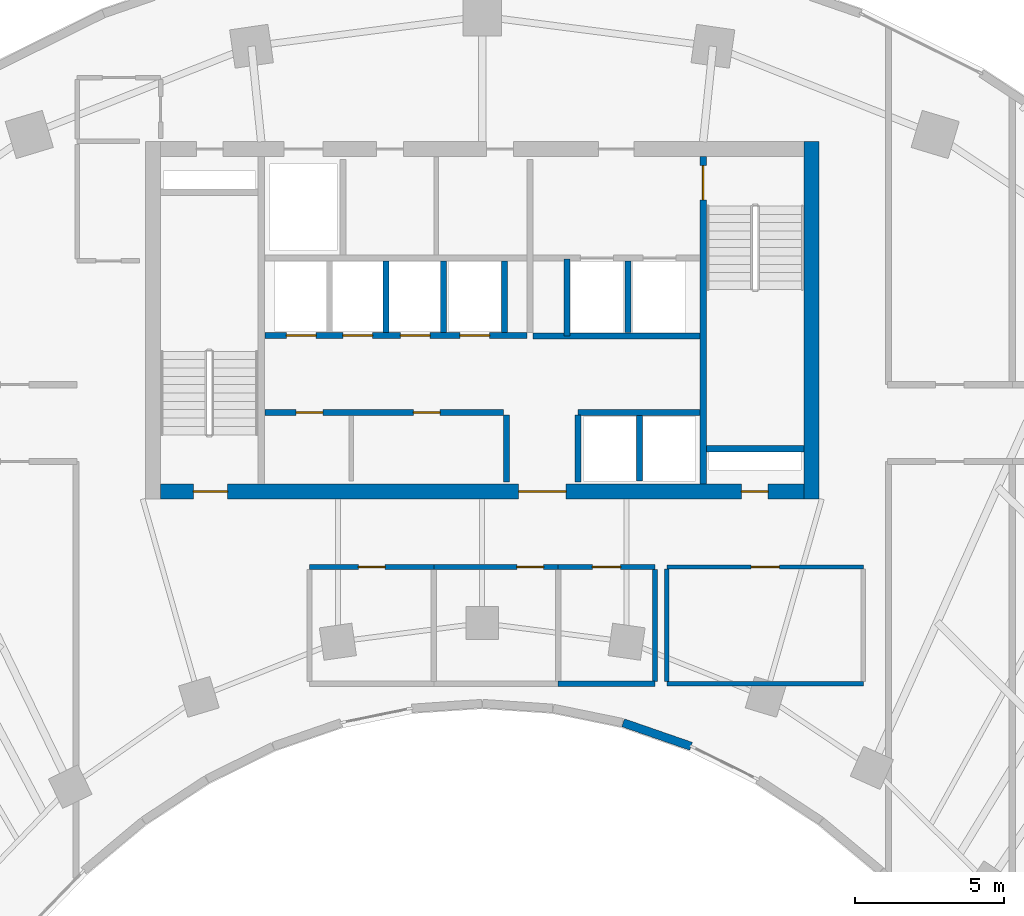
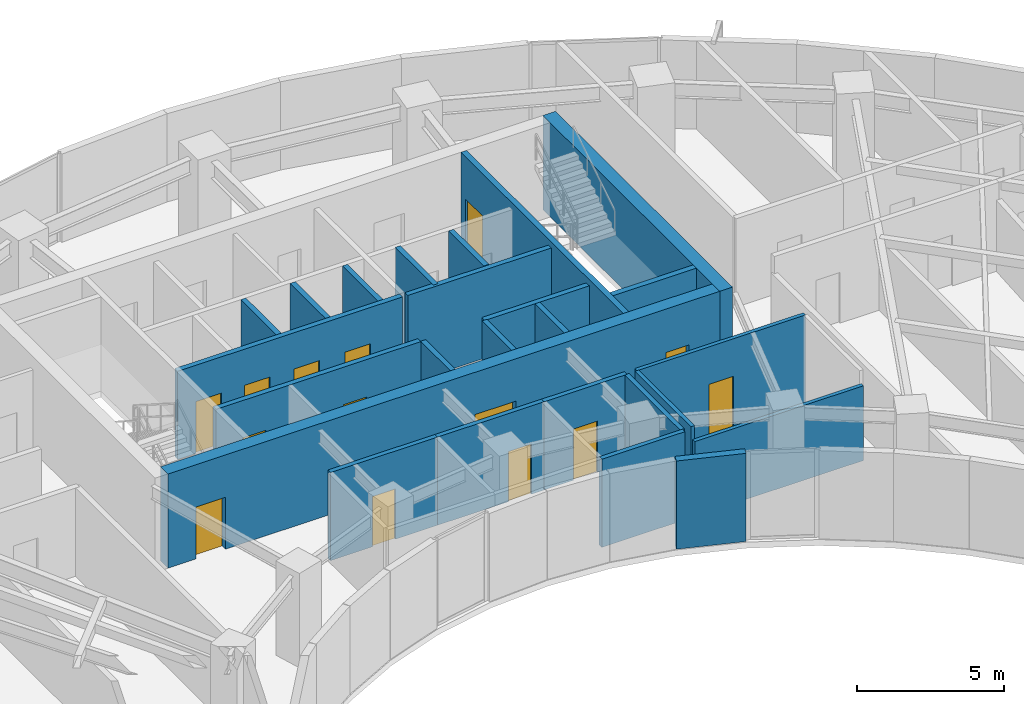
# One storey, part 9 of 14: 25 walls, 14 doors, 14 openings.
"""IFC4 building model written with IfcOpenShell, lengths in metres."""

from ifc_helpers import new_model, si_unit, direction, frame, frame_2d, origin, place, context, subcontext, project, spatial, rectangle, extrude, source, transform, mapped, material, layer, layer_set, type_object, type_shapes, element, fill, save


model = new_model("IFC4")

# Units and contexts
model_context = context("Model", 3, precision=1e-05, world=origin(), true_north=direction((0.0, 1.0)))
body_context = subcontext(model_context, "Body", "Model", "MODEL_VIEW")
ifc_project = project(units=[si_unit("LENGTHUNIT", "METRE"), si_unit("AREAUNIT", "SQUARE_METRE"), si_unit("VOLUMEUNIT", "CUBIC_METRE"), si_unit("PLANEANGLEUNIT", "RADIAN"), si_unit("MASSUNIT", "GRAM", prefix="KILO")], contexts=[model_context])

# Site, building, storey
site_placement = place(None, origin())
site = spatial("IfcSite", under=ifc_project, at=site_placement, CompositionType="ELEMENT")
building_placement = place(site_placement, origin())
building = spatial("IfcBuilding", under=site, at=building_placement, Name="Breltana Convention Tower", CompositionType="ELEMENT")
storey_placement = place(building_placement, frame((0.0, 0.0, 138.89990234375)))
storey = spatial("IfcBuildingStorey", under=building, at=storey_placement, Name="L33", CompositionType="ELEMENT", Elevation=138.89990234375)

# Wall
ifc_material_1 = material(Name="Concrete C60/75", Category="concrete")
ifc_layer_1 = layer(ifc_material_1, 0.5, Name="Concrete C60/75")
ifc_layer_set_1 = layer_set([ifc_layer_1], Name="Concrete C60/75")
wall_type_1 = type_object("IfcWallType", Name="SW-CORE-500", PredefinedType="SHEAR", material=ifc_layer_set_1)
shared_shape_1 = source(origin(), body_context, "Body", "SweptSolid", [
    extrude(rectangle(XDim=12.0, YDim=0.5, at=frame_2d((6.0, 0.0))), origin(), (0.0, 0.0, 1.0), 3.900146484375),
])
wall_1_placement = place(storey_placement, frame((59.050048828125, 60.199951171875, 0.0), z_axis=(0.0, 0.0, 1.0), x_axis=(0.0, 1.0, 0.0)))
element("IfcWall", 1, at=wall_1_placement, inside=storey, type_object=wall_type_1, Name="L33 East Core Shear Wall", PredefinedType="SHEAR", context=body_context, shape_type="MappedRepresentation", body=[
    mapped(shared_shape_1, transform((0.0, 0.0, 0.0), scale=1.0)),
])

# Wall, openings, doors
shared_shape_2 = source(origin(), body_context, "Body", "SweptSolid", [
    extrude(rectangle(XDim=21.60009765625, YDim=0.5, at=frame_2d((10.800048828125, 0.0))), origin(), (0.0, 0.0, 1.0), 3.900146484375),
])
wall_2_placement = place(storey_placement, frame((37.199951171875, 60.449951171875, 0.0), z_axis=(0.0, 0.0, 1.0), x_axis=(1.0, 0.0, 0.0)))
wall_2 = element("IfcWall", 2, at=wall_2_placement, inside=storey, type_object=wall_type_1, Name="L33 South Core Shear Wall", PredefinedType="SHEAR", context=body_context, shape_type="MappedRepresentation", body=[
    mapped(shared_shape_2, transform((0.0, 0.0, 0.0), scale=1.0)),
])
opening_1_placement = place(wall_2_placement, frame((1.10009765625, 0.0, 0.0)))
opening_1 = element("IfcOpeningElement", 3, at=opening_1_placement, cuts=wall_2, Name="Opening D-11", PredefinedType="OPENING", context=body_context, shape_type="SweptSolid", body=[
    extrude(rectangle(XDim=1.14990234375, YDim=2.14990234375, at=frame_2d((0.574951171875, 1.074951171875))), frame((0.0, 0.260009765625, 0.0), z_axis=(0.0, -1.0, 0.0), x_axis=(1.0, 0.0, 0.0)), (0.0, 0.0, 1.0), 0.52001953125),
])
opening_2_placement = place(wall_2_placement, frame((19.5, 0.0, 0.0)))
opening_2 = element("IfcOpeningElement", 4, at=opening_2_placement, cuts=wall_2, Name="Opening D-18", PredefinedType="OPENING", context=body_context, shape_type="SweptSolid", body=[
    extrude(rectangle(XDim=0.89990234375, YDim=2.10009765625, at=frame_2d((0.449951171875, 1.050048828125))), frame((0.0, 0.260009765625, 0.0), z_axis=(0.0, -1.0, 0.0), x_axis=(1.0, 0.0, 0.0)), (0.0, 0.0, 1.0), 0.52001953125),
])
opening_3_placement = place(wall_2_placement, frame((12.02001953125, 0.0, 0.0)))
opening_3 = element("IfcOpeningElement", 5, at=opening_3_placement, cuts=wall_2, Name="Opening D-02", PredefinedType="OPENING", context=body_context, shape_type="SweptSolid", body=[
    extrude(rectangle(XDim=1.60009765625, YDim=2.14990234375, at=frame_2d((0.800048828125, 1.074951171875))), frame((0.0, 0.260009765625, 0.0), z_axis=(0.0, -1.0, 0.0), x_axis=(1.0, 0.0, 0.0)), (0.0, 0.0, 1.0), 0.52001953125),
])
ifc_material_2 = material(Name="Steel Stair Exit Door", Category="steel")
door_type_1 = type_object("IfcDoorType", Name="DR-FD120-1150", OperationType="NOTDEFINED", PredefinedType="DOOR", material=ifc_material_2)
shared_shape_3 = source(origin(), body_context, "Body", "SweptSolid", [
    extrude(rectangle(XDim=1.14990234375, YDim=2.14990234375, at=frame_2d((0.574951171875, 1.074951171875))), frame((0.0, 0.02490234375, 0.0), z_axis=(0.0, -1.0, 0.0), x_axis=(1.0, 0.0, 0.0)), (0.0, 0.0, 1.0), 0.050048828125),
])
type_shapes(door_type_1, [shared_shape_3])
door_1_placement = place(opening_1_placement, origin())
door_1 = element("IfcDoor", 6, at=door_1_placement, inside=storey, type_object=door_type_1, Name="L33 interior door D-L33-ST1", OperationType="SINGLE_SWING_LEFT", OverallHeight=2.14990234375, OverallWidth=1.14990234375, PredefinedType="DOOR", context=body_context, shape_type="MappedRepresentation", body=[
    mapped(shared_shape_3, transform((0.0, 0.0, 0.0), scale=1.0)),
])
fill(opening_1, door_1)
ifc_material_3 = material(Name="Steel Riser Fire Door", Category="steel")
door_type_2 = type_object("IfcDoorType", Name="DR-FD60-900", OperationType="NOTDEFINED", PredefinedType="DOOR", material=ifc_material_3)
shared_shape_4 = source(origin(), body_context, "Body", "SweptSolid", [
    extrude(rectangle(XDim=0.89990234375, YDim=2.10009765625, at=frame_2d((0.449951171875, 1.050048828125))), frame((0.0, 0.02490234375, 0.0), z_axis=(0.0, -1.0, 0.0), x_axis=(1.0, 0.0, 0.0)), (0.0, 0.0, 1.0), 0.050048828125),
])
type_shapes(door_type_2, [shared_shape_4])
door_2_placement = place(opening_2_placement, origin())
door_2 = element("IfcDoor", 7, at=door_2_placement, inside=storey, type_object=door_type_2, Name="L33 Core Riser Access Door D-L33-RS2", OperationType="SINGLE_SWING_RIGHT", OverallHeight=2.10009765625, OverallWidth=0.89990234375, PredefinedType="DOOR", context=body_context, shape_type="MappedRepresentation", body=[
    mapped(shared_shape_4, transform((0.0, 0.0, 0.0), scale=1.0)),
])
fill(opening_2, door_2)
ifc_material_4 = material(Name="Steel Glazed Smoke-Control Door", Category="steel")
door_type_3 = type_object("IfcDoorType", Name="DR-DBL-FD90-1600", OperationType="DOUBLE_DOOR_SINGLE_SWING", PredefinedType="DOOR", material=ifc_material_4)
shared_shape_5 = source(origin(), body_context, "Body", "SweptSolid", [
    extrude(rectangle(XDim=1.60009765625, YDim=2.14990234375, at=frame_2d((0.800048828125, 1.074951171875))), frame((0.0, 0.02490234375, 0.0), z_axis=(0.0, -1.0, 0.0), x_axis=(1.0, 0.0, 0.0)), (0.0, 0.0, 1.0), 0.050048828125),
])
type_shapes(door_type_3, [shared_shape_5])
door_3_placement = place(opening_3_placement, origin())
door_3 = element("IfcDoor", 8, at=door_3_placement, inside=storey, type_object=door_type_3, Name="L33 interior door D-L33-LLB-S", OperationType="DOUBLE_DOOR_SINGLE_SWING", OverallHeight=2.14990234375, OverallWidth=1.60009765625, PredefinedType="DOOR", context=body_context, shape_type="MappedRepresentation", body=[
    mapped(shared_shape_5, transform((0.0, 0.0, 0.0), scale=1.0)),
])
fill(opening_3, door_3)

# Wall
ifc_material_5 = material(Name="Concrete C50/60", Category="concrete")
ifc_layer_2 = layer(ifc_material_5, 0.39990234375, Name="Concrete C50/60")
ifc_layer_set_2 = layer_set([ifc_layer_2], Name="Concrete C50/60")
wall_type_2 = type_object("IfcWallType", Name="SW-CORE-400", PredefinedType="SHEAR", material=ifc_layer_set_2)
shared_shape_6 = source(origin(), body_context, "Body", "SweptSolid", [
    extrude(rectangle(XDim=3.27001953125, YDim=0.219970703125, at=frame_2d((1.635009765625, 0.0))), origin(), (0.0, 0.0, 1.0), 3.900146484375),
])
wall_3_placement = place(storey_placement, frame((55.530029296875, 61.889892578125, 0.0), z_axis=(0.0, 0.0, 1.0), x_axis=(1.0, 0.0, 0.0)))
element("IfcWall", 9, at=wall_3_placement, inside=storey, type_object=wall_type_2, Name="L33 ST-2 Stairwell South Bearing Wall", PredefinedType="SHEAR", context=body_context, shape_type="MappedRepresentation", body=[
    mapped(shared_shape_6, transform((0.0, 0.0, 0.0), scale=1.0)),
])

# Wall, opening, door
shared_shape_7 = source(origin(), body_context, "Body", "SweptSolid", [
    extrude(rectangle(XDim=11.0, YDim=0.219970703125, at=frame_2d((5.5, 0.0))), origin(), (0.0, 0.0, 1.0), 3.900146484375),
])
wall_4_placement = place(storey_placement, frame((55.419921875, 60.699951171875, 0.0), z_axis=(0.0, 0.0, 1.0), x_axis=(0.0, 1.0, 0.0)))
wall_4 = element("IfcWall", 10, at=wall_4_placement, inside=storey, type_object=wall_type_2, Name="L33 Core East Stair Spine Wall", PredefinedType="SHEAR", context=body_context, shape_type="MappedRepresentation", body=[
    mapped(shared_shape_7, transform((0.0, 0.0, 0.0), scale=1.0)),
])
opening_4_placement = place(wall_4_placement, frame((9.544921875, 0.0, 0.0)))
opening_4 = element("IfcOpeningElement", 11, at=opening_4_placement, cuts=wall_4, Name="Opening D-11", PredefinedType="OPENING", context=body_context, shape_type="SweptSolid", body=[
    extrude(rectangle(XDim=1.14990234375, YDim=2.14990234375, at=frame_2d((0.574951171875, 1.074951171875))), frame((0.0, 0.1201171875, 0.0), z_axis=(0.0, -1.0, 0.0), x_axis=(1.0, 0.0, 0.0)), (0.0, 0.0, 1.0), 0.239990234375),
])
door_4_placement = place(opening_4_placement, origin())
door_4 = element("IfcDoor", 12, at=door_4_placement, inside=storey, type_object=door_type_1, Name="L33 interior door D-L33-ST2", OperationType="SINGLE_SWING_LEFT", OverallHeight=2.14990234375, OverallWidth=1.14990234375, PredefinedType="DOOR", context=body_context, shape_type="MappedRepresentation", body=[
    mapped(shared_shape_3, transform((0.0, 0.0, 0.0), scale=1.0)),
])
fill(opening_4, door_4)

# Walls
ifc_material_6 = material(Name="Limestone Buff Insulated Wall", Category="masonry")
ifc_layer_3 = layer(ifc_material_6, 0.280029296875, Name="Limestone Buff Insulated Wall")
ifc_layer_set_3 = layer_set([ifc_layer_3], Name="Limestone Buff Insulated Wall")
wall_type_3 = type_object("IfcWallType", Name="WL-EXT-NOSE-280", PredefinedType="SOLIDWALL", material=ifc_layer_set_3)
shared_shape_8 = source(origin(), body_context, "Body", "SweptSolid", [
    extrude(rectangle(XDim=2.41064453125, YDim=0.280029296875, at=frame_2d((1.205322265625, 0.0))), origin(), (0.0, 0.0, 1.0), 3.650146484375),
])
wall_5_placement = place(storey_placement, frame((55.01171875, 51.8994140625, 0.0), z_axis=(0.0, 0.0, 1.0), x_axis=(-0.944880068161, 0.327416640982, 0.0)))
element("IfcWall", 13, at=wall_5_placement, inside=storey, type_object=wall_type_3, Name="L33 curved limestone nose wall E10", PredefinedType="SOLIDWALL", context=body_context, shape_type="MappedRepresentation", body=[
    mapped(shared_shape_8, transform((0.0, 0.0, 0.0), scale=1.0)),
])
ifc_material_7 = material(Name="Autoclaved Aerated Concrete Block", Category="concrete")
ifc_layer_4 = layer(ifc_material_7, 0.199951171875, Name="Autoclaved Aerated Concrete Block")
ifc_layer_set_4 = layer_set([ifc_layer_4], Name="Autoclaved Aerated Concrete Block")
wall_type_4 = type_object("IfcWallType", Name="WL-SHAFT-200", PredefinedType="SOLIDWALL", material=ifc_layer_set_4)
shared_shape_9 = source(origin(), body_context, "Body", "SweptSolid", [
    extrude(rectangle(XDim=2.239990234375, YDim=0.199951171875, at=frame_2d((1.1201171875, 0.0))), origin(), (0.0, 0.0, 1.0), 3.650146484375),
])
for number, where, z_axis, x_axis, name in (
    (14, (48.820068359375, 60.780029296875, 0.0), (0.0, 0.0, 1.0), (0.0, 1.0, 0.0), "L33 interior partition W-L33-PORT-W"),
    (15, (51.219970703125, 60.780029296875, 0.0), (0.0, 0.0, 1.0), (0.0, 1.0, 0.0), "L33 interior partition W-L33-PORT-E"),
):
    element("IfcWall", number, at=place(storey_placement, frame(where, z_axis=z_axis, x_axis=x_axis)), inside=storey, type_object=wall_type_4, Name=name, PredefinedType="SOLIDWALL", context=body_context, shape_type="MappedRepresentation", body=[
        mapped(shared_shape_9, transform((0.0, 0.0, 0.0), scale=1.0)),
    ])
shared_shape_10 = source(origin(), body_context, "Body", "SweptSolid", [
    extrude(rectangle(XDim=5.6201171875, YDim=0.199951171875, at=frame_2d((2.81005859375, 0.0))), origin(), (0.0, 0.0, 1.0), 3.650146484375),
])
wall_6_placement = place(storey_placement, frame((49.699951171875, 65.679931640625, 0.0), z_axis=(0.0, 0.0, 1.0), x_axis=(1.0, 0.0, 0.0)))
element("IfcWall", 16, at=wall_6_placement, inside=storey, type_object=wall_type_4, Name="L33 interior partition W-L33-FL-S", PredefinedType="SOLIDWALL", context=body_context, shape_type="MappedRepresentation", body=[
    mapped(shared_shape_10, transform((0.0, 0.0, 0.0), scale=1.0)),
])
shared_shape_11 = source(origin(), body_context, "Body", "SweptSolid", [
    extrude(rectangle(XDim=2.580078125, YDim=0.199951171875, at=frame_2d((1.2900390625, 0.0))), origin(), (0.0, 0.0, 1.0), 3.650146484375),
])
wall_7_placement = place(storey_placement, frame((50.85009765625, 65.679931640625, 0.0), z_axis=(0.0, 0.0, 1.0), x_axis=(0.0, 1.0, 0.0)))
element("IfcWall", 17, at=wall_7_placement, inside=storey, type_object=wall_type_4, Name="L33 interior partition W-L33-FL-W", PredefinedType="SOLIDWALL", context=body_context, shape_type="MappedRepresentation", body=[
    mapped(shared_shape_11, transform((0.0, 0.0, 0.0), scale=1.0)),
])
shared_shape_12 = source(origin(), body_context, "Body", "SweptSolid", [
    extrude(rectangle(XDim=2.39990234375, YDim=0.199951171875, at=frame_2d((1.199951171875, 0.0))), origin(), (0.0, 0.0, 1.0), 3.650146484375),
])
for number, where, z_axis, x_axis, name in (
    (18, (52.89990234375, 65.800048828125, 0.0), (0.0, 0.0, 1.0), (0.0, 1.0, 0.0), "L33 interior partition W-L33-FL-DIV"),
    (19, (48.75, 65.800048828125, 0.0), (0.0, 0.0, 1.0), (0.0, 1.0, 0.0), "L33 interior partition W-L33-SH-M-END"),
    (20, (44.77001953125, 65.800048828125, 0.0), (0.0, 0.0, 1.0), (0.0, 1.0, 0.0), "L33 interior partition W-L33-SH-M-DIV2"),
    (21, (46.699951171875, 65.800048828125, 0.0), (0.0, 0.0, 1.0), (0.0, 1.0, 0.0), "L33 interior partition W-L33-SH-M-DIV3"),
):
    element("IfcWall", number, at=place(storey_placement, frame(where, z_axis=z_axis, x_axis=x_axis)), inside=storey, type_object=wall_type_4, Name=name, PredefinedType="SOLIDWALL", context=body_context, shape_type="MappedRepresentation", body=[
        mapped(shared_shape_12, transform((0.0, 0.0, 0.0), scale=1.0)),
    ])

# Wall, openings, doors
shared_shape_13 = source(origin(), body_context, "Body", "SweptSolid", [
    extrude(rectangle(XDim=8.800048828125, YDim=0.199951171875, at=frame_2d((4.39990234375, 0.0))), origin(), (0.0, 0.0, 1.0), 3.650146484375),
])
wall_8_placement = place(storey_placement, frame((40.699951171875, 65.699951171875, 0.0), z_axis=(0.0, 0.0, 1.0), x_axis=(1.0, 0.0, 0.0)))
wall_8 = element("IfcWall", 22, at=wall_8_placement, inside=storey, type_object=wall_type_4, Name="L33 interior partition W-L33-SH-M-FRONT", PredefinedType="SOLIDWALL", context=body_context, shape_type="MappedRepresentation", body=[
    mapped(shared_shape_13, transform((0.0, 0.0, 0.0), scale=1.0)),
])
opening_5_placement = place(wall_8_placement, frame((0.719970703125, 0.0, 0.0)))
opening_5 = element("IfcOpeningElement", 23, at=opening_5_placement, cuts=wall_8, Name="Opening LD-04", PredefinedType="OPENING", context=body_context, shape_type="SweptSolid", body=[
    extrude(rectangle(XDim=1.0, YDim=2.14990234375, at=frame_2d((0.5, 1.074951171875))), frame((0.0, 0.10986328125, 0.0), z_axis=(0.0, -1.0, 0.0), x_axis=(1.0, 0.0, 0.0)), (0.0, 0.0, 1.0), 0.219970703125),
])
opening_6_placement = place(wall_8_placement, frame((2.6201171875, 0.0, 0.0)))
opening_6 = element("IfcOpeningElement", 24, at=opening_6_placement, cuts=wall_8, Name="Opening LD-04", PredefinedType="OPENING", context=body_context, shape_type="SweptSolid", body=[
    extrude(rectangle(XDim=1.0, YDim=2.14990234375, at=frame_2d((0.5, 1.074951171875))), frame((0.0, 0.10986328125, 0.0), z_axis=(0.0, -1.0, 0.0), x_axis=(1.0, 0.0, 0.0)), (0.0, 0.0, 1.0), 0.219970703125),
])
opening_7_placement = place(wall_8_placement, frame((4.550048828125, 0.0, 0.0)))
opening_7 = element("IfcOpeningElement", 25, at=opening_7_placement, cuts=wall_8, Name="Opening LD-04", PredefinedType="OPENING", context=body_context, shape_type="SweptSolid", body=[
    extrude(rectangle(XDim=1.0, YDim=2.14990234375, at=frame_2d((0.5, 1.074951171875))), frame((0.0, 0.10986328125, 0.0), z_axis=(0.0, -1.0, 0.0), x_axis=(1.0, 0.0, 0.0)), (0.0, 0.0, 1.0), 0.219970703125),
])
opening_8_placement = place(wall_8_placement, frame((6.550048828125, 0.0, 0.0)))
opening_8 = element("IfcOpeningElement", 26, at=opening_8_placement, cuts=wall_8, Name="Opening LD-04", PredefinedType="OPENING", context=body_context, shape_type="SweptSolid", body=[
    extrude(rectangle(XDim=1.0, YDim=2.14990234375, at=frame_2d((0.5, 1.074951171875))), frame((0.0, 0.10986328125, 0.0), z_axis=(0.0, -1.0, 0.0), x_axis=(1.0, 0.0, 0.0)), (0.0, 0.0, 1.0), 0.219970703125),
])
ifc_material_8 = material(Name="Stainless Steel Brushed", Category="steel")
door_type_4 = type_object("IfcDoorType", Name="DR-LD-PAX-1000", OperationType="DOUBLE_DOOR_SLIDING", PredefinedType="DOOR", material=ifc_material_8)
shared_shape_14 = source(origin(), body_context, "Body", "SweptSolid", [
    extrude(rectangle(XDim=1.0, YDim=2.14990234375, at=frame_2d((0.5, 1.074951171875))), frame((0.0, 0.02490234375, 0.0), z_axis=(0.0, -1.0, 0.0), x_axis=(1.0, 0.0, 0.0)), (0.0, 0.0, 1.0), 0.050048828125),
])
type_shapes(door_type_4, [shared_shape_14])
door_5_placement = place(opening_5_placement, origin())
door_5 = element("IfcDoor", 27, at=door_5_placement, inside=storey, type_object=door_type_4, Name="L33 Lift Landing Door D-L33-LD-M1", OperationType="DOUBLE_DOOR_SLIDING", OverallHeight=2.14990234375, OverallWidth=1.0, PredefinedType="DOOR", context=body_context, shape_type="MappedRepresentation", body=[
    mapped(shared_shape_14, transform((0.0, 0.0, 0.0), scale=1.0)),
])
fill(opening_5, door_5)
door_6_placement = place(opening_6_placement, origin())
door_6 = element("IfcDoor", 28, at=door_6_placement, inside=storey, type_object=door_type_4, Name="L33 Lift Landing Door D-L33-LD-M2", OperationType="DOUBLE_DOOR_SLIDING", OverallHeight=2.14990234375, OverallWidth=1.0, PredefinedType="DOOR", context=body_context, shape_type="MappedRepresentation", body=[
    mapped(shared_shape_14, transform((0.0, 0.0, 0.0), scale=1.0)),
])
fill(opening_6, door_6)
door_7_placement = place(opening_7_placement, origin())
door_7 = element("IfcDoor", 29, at=door_7_placement, inside=storey, type_object=door_type_4, Name="L33 Lift Landing Door D-L33-LD-M3", OperationType="DOUBLE_DOOR_SLIDING", OverallHeight=2.14990234375, OverallWidth=1.0, PredefinedType="DOOR", context=body_context, shape_type="MappedRepresentation", body=[
    mapped(shared_shape_14, transform((0.0, 0.0, 0.0), scale=1.0)),
])
fill(opening_7, door_7)
door_8_placement = place(opening_8_placement, origin())
door_8 = element("IfcDoor", 30, at=door_8_placement, inside=storey, type_object=door_type_4, Name="L33 Lift Landing Door D-L33-LD-M4", OperationType="DOUBLE_DOOR_SLIDING", OverallHeight=2.14990234375, OverallWidth=1.0, PredefinedType="DOOR", context=body_context, shape_type="MappedRepresentation", body=[
    mapped(shared_shape_14, transform((0.0, 0.0, 0.0), scale=1.0)),
])
fill(opening_8, door_8)

shared_shape_15 = source(origin(), body_context, "Body", "SweptSolid", [
    extrude(rectangle(XDim=8.02001953125, YDim=0.199951171875, at=frame_2d((4.010009765625, 0.0))), origin(), (0.0, 0.0, 1.0), 3.650146484375),
])
wall_9_placement = place(storey_placement, frame((40.699951171875, 63.10009765625, 0.0), z_axis=(0.0, 0.0, 1.0), x_axis=(1.0, 0.0, 0.0)))
wall_9 = element("IfcWall", 31, at=wall_9_placement, inside=storey, type_object=wall_type_4, Name="L33 interior partition W-L33-SH-S-FRONT", PredefinedType="SOLIDWALL", context=body_context, shape_type="MappedRepresentation", body=[
    mapped(shared_shape_15, transform((0.0, 0.0, 0.0), scale=1.0)),
])
opening_9_placement = place(wall_9_placement, frame((1.050048828125, 0.0, 0.0)))
opening_9 = element("IfcOpeningElement", 32, at=opening_9_placement, cuts=wall_9, Name="Opening D-18", PredefinedType="OPENING", context=body_context, shape_type="SweptSolid", body=[
    extrude(rectangle(XDim=0.89990234375, YDim=2.10009765625, at=frame_2d((0.449951171875, 1.050048828125))), frame((0.0, 0.10986328125, 0.0), z_axis=(0.0, -1.0, 0.0), x_axis=(1.0, 0.0, 0.0)), (0.0, 0.0, 1.0), 0.219970703125),
])
opening_10_placement = place(wall_9_placement, frame((4.989990234375, 0.0, 0.0)))
opening_10 = element("IfcOpeningElement", 33, at=opening_10_placement, cuts=wall_9, Name="Opening D-18", PredefinedType="OPENING", context=body_context, shape_type="SweptSolid", body=[
    extrude(rectangle(XDim=0.89990234375, YDim=2.10009765625, at=frame_2d((0.449951171875, 1.050048828125))), frame((0.0, 0.10986328125, 0.0), z_axis=(0.0, -1.0, 0.0), x_axis=(1.0, 0.0, 0.0)), (0.0, 0.0, 1.0), 0.219970703125),
])
door_9_placement = place(opening_9_placement, origin())
door_9 = element("IfcDoor", 34, at=door_9_placement, inside=storey, type_object=door_type_2, Name="L33 interior door D-L33-LV7-B1A", OperationType="SINGLE_SWING_LEFT", OverallHeight=2.10009765625, OverallWidth=0.89990234375, PredefinedType="DOOR", context=body_context, shape_type="MappedRepresentation", body=[
    mapped(shared_shape_4, transform((0.0, 0.0, 0.0), scale=1.0)),
])
fill(opening_9, door_9)
door_10_placement = place(opening_10_placement, origin())
door_10 = element("IfcDoor", 35, at=door_10_placement, inside=storey, type_object=door_type_2, Name="L33 interior door D-L33-LV7-B1B", OperationType="SINGLE_SWING_RIGHT", OverallHeight=2.10009765625, OverallWidth=0.89990234375, PredefinedType="DOOR", context=body_context, shape_type="MappedRepresentation", body=[
    mapped(shared_shape_4, transform((0.0, 0.0, 0.0), scale=1.0)),
])
fill(opening_10, door_10)

# Walls
shared_shape_16 = source(origin(), body_context, "Body", "SweptSolid", [
    extrude(rectangle(XDim=4.10009765625, YDim=0.199951171875, at=frame_2d((2.050048828125, 0.0))), origin(), (0.0, 0.0, 1.0), 3.650146484375),
])
wall_10_placement = place(storey_placement, frame((51.219970703125, 63.10009765625, 0.0), z_axis=(0.0, 0.0, 1.0), x_axis=(1.0, 0.0, 0.0)))
element("IfcWall", 36, at=wall_10_placement, inside=storey, type_object=wall_type_4, Name="L33 interior partition W-L33-SH-X-FRONT", PredefinedType="SOLIDWALL", context=body_context, shape_type="MappedRepresentation", body=[
    mapped(shared_shape_16, transform((0.0, 0.0, 0.0), scale=1.0)),
])
shared_shape_17 = source(origin(), body_context, "Body", "SweptSolid", [
    extrude(rectangle(XDim=2.199951171875, YDim=0.199951171875, at=frame_2d((1.10009765625, 0.0))), origin(), (0.0, 0.0, 1.0), 3.650146484375),
])
wall_11_placement = place(storey_placement, frame((53.280029296875, 60.800048828125, 0.0), z_axis=(0.0, 0.0, 1.0), x_axis=(0.0, 1.0, 0.0)))
element("IfcWall", 37, at=wall_11_placement, inside=storey, type_object=wall_type_4, Name="L33 interior partition W-L33-SH-X-DIV", PredefinedType="SOLIDWALL", context=body_context, shape_type="MappedRepresentation", body=[
    mapped(shared_shape_17, transform((0.0, 0.0, 0.0), scale=1.0)),
])

# Wall, opening, door
ifc_material_9 = material(Name="Moisture-Resistant Gypsum Chase Wall")
ifc_layer_5 = layer(ifc_material_9, 0.179931640625, Name="Moisture-Resistant Gypsum Chase Wall")
ifc_layer_set_5 = layer_set([ifc_layer_5], Name="Moisture-Resistant Gypsum Chase Wall")
wall_type_5 = type_object("IfcWallType", Name="WL-PLUMB-180", PredefinedType="PLUMBINGWALL", material=ifc_layer_set_5)
shared_shape_18 = source(origin(), body_context, "Body", "SweptSolid", [
    extrude(rectangle(XDim=4.176025390625, YDim=0.179931640625, at=frame_2d((2.087890625, 0.0))), origin(), (0.0, 0.0, 1.0), 3.650146484375),
])
wall_12_placement = place(storey_placement, frame((42.199951171875, 57.919921875, 0.0), z_axis=(0.0, 0.0, 1.0), x_axis=(1.0, 0.0, 0.0)))
wall_12 = element("IfcWall", 38, at=wall_12_placement, inside=storey, type_object=wall_type_5, Name="L33 interior partition W-L33-WCM-N", PredefinedType="PLUMBINGWALL", context=body_context, shape_type="MappedRepresentation", body=[
    mapped(shared_shape_18, transform((0.0, 0.0, 0.0), scale=1.0)),
])
opening_11_placement = place(wall_12_placement, frame((1.637939453125, 0.0, 0.0)))
opening_11 = element("IfcOpeningElement", 39, at=opening_11_placement, cuts=wall_12, Name="Opening D-19", PredefinedType="OPENING", context=body_context, shape_type="SweptSolid", body=[
    extrude(rectangle(XDim=0.89990234375, YDim=2.080078125, at=frame_2d((0.449951171875, 1.0400390625))), frame((0.0, 0.10009765625, 0.0), z_axis=(0.0, -1.0, 0.0), x_axis=(1.0, 0.0, 0.0)), (0.0, 0.0, 1.0), 0.199951171875),
])
ifc_material_10 = material(Name="Timber Moisture-Resistant Door", Category="wood")
door_type_5 = type_object("IfcDoorType", Name="DR-WC-900", OperationType="NOTDEFINED", PredefinedType="DOOR", material=ifc_material_10)
shared_shape_19 = source(origin(), body_context, "Body", "SweptSolid", [
    extrude(rectangle(XDim=0.89990234375, YDim=2.080078125, at=frame_2d((0.449951171875, 1.0400390625))), frame((0.0, 0.02490234375, 0.0), z_axis=(0.0, -1.0, 0.0), x_axis=(1.0, 0.0, 0.0)), (0.0, 0.0, 1.0), 0.050048828125),
])
type_shapes(door_type_5, [shared_shape_19])
door_11_placement = place(opening_11_placement, origin())
door_11 = element("IfcDoor", 40, at=door_11_placement, inside=storey, type_object=door_type_5, Name="L33 interior door D-L33-WCM", OperationType="SINGLE_SWING_LEFT", OverallHeight=2.080078125, OverallWidth=0.89990234375, PredefinedType="DOOR", context=body_context, shape_type="MappedRepresentation", body=[
    mapped(shared_shape_19, transform((0.0, 0.0, 0.0), scale=1.0)),
])
fill(opening_11, door_11)

wall_13_placement = place(storey_placement, frame((46.3759765625, 57.919921875, 0.0), z_axis=(0.0, 0.0, 1.0), x_axis=(1.0, 0.0, 0.0)))
wall_13 = element("IfcWall", 41, at=wall_13_placement, inside=storey, type_object=wall_type_5, Name="L33 interior partition W-L33-WCF-N", PredefinedType="PLUMBINGWALL", context=body_context, shape_type="MappedRepresentation", body=[
    mapped(shared_shape_18, transform((0.0, 0.0, 0.0), scale=1.0)),
])
opening_12_placement = place(wall_13_placement, frame((2.7880859375, 0.0, 0.0)))
opening_12 = element("IfcOpeningElement", 42, at=opening_12_placement, cuts=wall_13, Name="Opening D-19", PredefinedType="OPENING", context=body_context, shape_type="SweptSolid", body=[
    extrude(rectangle(XDim=0.89990234375, YDim=2.080078125, at=frame_2d((0.449951171875, 1.0400390625))), frame((0.0, 0.10009765625, 0.0), z_axis=(0.0, -1.0, 0.0), x_axis=(1.0, 0.0, 0.0)), (0.0, 0.0, 1.0), 0.199951171875),
])
door_12_placement = place(opening_12_placement, origin())
door_12 = element("IfcDoor", 43, at=door_12_placement, inside=storey, type_object=door_type_5, Name="L33 interior door D-L33-WCF", OperationType="SINGLE_SWING_RIGHT", OverallHeight=2.080078125, OverallWidth=0.89990234375, PredefinedType="DOOR", context=body_context, shape_type="MappedRepresentation", body=[
    mapped(shared_shape_19, transform((0.0, 0.0, 0.0), scale=1.0)),
])
fill(opening_12, door_12)

# Walls
ifc_material_11 = material(Name="Cement Board Wet-Area Partition")
ifc_layer_6 = layer(ifc_material_11, 0.175048828125, Name="Cement Board Wet-Area Partition")
ifc_layer_set_6 = layer_set([ifc_layer_6], Name="Cement Board Wet-Area Partition")
wall_type_6 = type_object("IfcWallType", Name="WL-WET-175", PredefinedType="PARTITIONING", material=ifc_layer_set_6)
shared_shape_20 = source(origin(), body_context, "Body", "SweptSolid", [
    extrude(rectangle(XDim=3.7626953125, YDim=0.175048828125, at=frame_2d((1.88134765625, 0.0))), origin(), (0.0, 0.0, 1.0), 3.650146484375),
])
wall_14_placement = place(storey_placement, frame((53.800048828125, 54.07861328125, 0.0), z_axis=(0.0, 0.0, 1.0), x_axis=(0.0, 1.0, 0.0)))
element("IfcWall", 44, at=wall_14_placement, inside=storey, type_object=wall_type_6, Name="L33 interior partition W-L33-WCA-E", PredefinedType="PARTITIONING", context=body_context, shape_type="MappedRepresentation", body=[
    mapped(shared_shape_20, transform((0.0, 0.0, 0.0), scale=1.0)),
])
shared_shape_21 = source(origin(), body_context, "Body", "SweptSolid", [
    extrude(rectangle(XDim=3.248046875, YDim=0.175048828125, at=frame_2d((1.6240234375, 0.0))), origin(), (0.0, 0.0, 1.0), 3.650146484375),
])
wall_15_placement = place(storey_placement, frame((50.552001953125, 54.0, 0.0), z_axis=(0.0, 0.0, 1.0), x_axis=(1.0, 0.0, 0.0)))
element("IfcWall", 45, at=wall_15_placement, inside=storey, type_object=wall_type_6, Name="L33 interior partition W-L33-WCA-S", PredefinedType="PARTITIONING", context=body_context, shape_type="MappedRepresentation", body=[
    mapped(shared_shape_21, transform((0.0, 0.0, 0.0), scale=1.0)),
])

# Wall, opening, door
shared_shape_22 = source(origin(), body_context, "Body", "SweptSolid", [
    extrude(rectangle(XDim=3.248046875, YDim=0.179931640625, at=frame_2d((1.6240234375, 0.0))), origin(), (0.0, 0.0, 1.0), 3.650146484375),
])
wall_16_placement = place(storey_placement, frame((50.552001953125, 57.919921875, 0.0), z_axis=(0.0, 0.0, 1.0), x_axis=(1.0, 0.0, 0.0)))
wall_16 = element("IfcWall", 46, at=wall_16_placement, inside=storey, type_object=wall_type_5, Name="L33 interior partition W-L33-WCA-N", PredefinedType="PLUMBINGWALL", context=body_context, shape_type="MappedRepresentation", body=[
    mapped(shared_shape_22, transform((0.0, 0.0, 0.0), scale=1.0)),
])
opening_13_placement = place(wall_16_placement, frame((1.14892578125, 0.0, 0.0)))
opening_13 = element("IfcOpeningElement", 47, at=opening_13_placement, cuts=wall_16, Name="Opening D-16", PredefinedType="OPENING", context=body_context, shape_type="SweptSolid", body=[
    extrude(rectangle(XDim=0.949951171875, YDim=2.1201171875, at=frame_2d((0.47509765625, 1.06005859375))), frame((0.0, 0.10009765625, 0.0), z_axis=(0.0, -1.0, 0.0), x_axis=(1.0, 0.0, 0.0)), (0.0, 0.0, 1.0), 0.199951171875),
])
ifc_material_12 = material(Name="Timber Laminate Accessible Door", Category="wood")
door_type_6 = type_object("IfcDoorType", Name="DR-ACC-950", OperationType="NOTDEFINED", PredefinedType="DOOR", material=ifc_material_12)
shared_shape_23 = source(origin(), body_context, "Body", "SweptSolid", [
    extrude(rectangle(XDim=0.949951171875, YDim=2.1201171875, at=frame_2d((0.47509765625, 1.06005859375))), frame((0.0, 0.02490234375, 0.0), z_axis=(0.0, -1.0, 0.0), x_axis=(1.0, 0.0, 0.0)), (0.0, 0.0, 1.0), 0.050048828125),
])
type_shapes(door_type_6, [shared_shape_23])
door_13_placement = place(opening_13_placement, origin())
door_13 = element("IfcDoor", 48, at=door_13_placement, inside=storey, type_object=door_type_6, Name="L33 interior door D-L33-WCA", OperationType="SINGLE_SWING_LEFT", OverallHeight=2.1201171875, OverallWidth=0.949951171875, PredefinedType="DOOR", context=body_context, shape_type="MappedRepresentation", body=[
    mapped(shared_shape_23, transform((0.0, 0.0, 0.0), scale=1.0)),
])
fill(opening_13, door_13)

# Wall
ifc_material_13 = material(Name="Gypsum Acoustic Drywall Partition")
ifc_layer_7 = layer(ifc_material_13, 0.14990234375, Name="Gypsum Acoustic Drywall Partition")
ifc_layer_set_7 = layer_set([ifc_layer_7], Name="Gypsum Acoustic Drywall Partition")
wall_type_7 = type_object("IfcWallType", Name="WL-PART-150", PredefinedType="PARTITIONING", material=ifc_layer_set_7)
shared_shape_24 = source(origin(), body_context, "Body", "SweptSolid", [
    extrude(rectangle(XDim=6.60009765625, YDim=0.14990234375, at=frame_2d((3.300048828125, 0.0))), origin(), (0.0, 0.0, 1.0), 3.09521484375),
])
wall_17_placement = place(storey_placement, frame((54.199951171875, 54.0, 0.0), z_axis=(0.0, 0.0, 1.0), x_axis=(1.0, 0.0, 0.0)))
element("IfcWall", 49, at=wall_17_placement, inside=storey, type_object=wall_type_7, Name="L33 interior partition W-L33-PNT-S", PredefinedType="PARTITIONING", context=body_context, shape_type="MappedRepresentation", body=[
    mapped(shared_shape_24, transform((0.0, 0.0, 0.0), scale=1.0)),
])

# Wall, opening, door
shared_shape_25 = source(origin(), body_context, "Body", "SweptSolid", [
    extrude(rectangle(XDim=6.60009765625, YDim=0.14990234375, at=frame_2d((3.300048828125, 0.0))), origin(), (0.0, 0.0, 1.0), 3.650146484375),
])
wall_18_placement = place(storey_placement, frame((54.199951171875, 57.919921875, 0.0), z_axis=(0.0, 0.0, 1.0), x_axis=(1.0, 0.0, 0.0)))
wall_18 = element("IfcWall", 50, at=wall_18_placement, inside=storey, type_object=wall_type_7, Name="L33 interior partition W-L33-PNT-N", PredefinedType="PARTITIONING", context=body_context, shape_type="MappedRepresentation", body=[
    mapped(shared_shape_25, transform((0.0, 0.0, 0.0), scale=1.0)),
])
opening_14_placement = place(wall_18_placement, frame((2.824951171875, 0.0, 0.0)))
opening_14 = element("IfcOpeningElement", 51, at=opening_14_placement, cuts=wall_18, Name="Opening D-17", PredefinedType="OPENING", context=body_context, shape_type="SweptSolid", body=[
    extrude(rectangle(XDim=0.949951171875, YDim=2.10009765625, at=frame_2d((0.47509765625, 1.050048828125))), frame((0.0, 0.0849609375, 0.0), z_axis=(0.0, -1.0, 0.0), x_axis=(1.0, 0.0, 0.0)), (0.0, 0.0, 1.0), 0.169921875),
])
ifc_material_14 = material(Name="Timber Oak Veneer Door", Category="wood")
door_type_7 = type_object("IfcDoorType", Name="DR-INT-950", OperationType="NOTDEFINED", PredefinedType="DOOR", material=ifc_material_14)
shared_shape_26 = source(origin(), body_context, "Body", "SweptSolid", [
    extrude(rectangle(XDim=0.949951171875, YDim=2.10009765625, at=frame_2d((0.47509765625, 1.050048828125))), frame((0.0, 0.02490234375, 0.0), z_axis=(0.0, -1.0, 0.0), x_axis=(1.0, 0.0, 0.0)), (0.0, 0.0, 1.0), 0.050048828125),
])
type_shapes(door_type_7, [shared_shape_26])
door_14_placement = place(opening_14_placement, origin())
door_14 = element("IfcDoor", 52, at=door_14_placement, inside=storey, type_object=door_type_7, Name="L33 interior door D-L33-PNT", OperationType="SINGLE_SWING_RIGHT", OverallHeight=2.10009765625, OverallWidth=0.949951171875, PredefinedType="DOOR", context=body_context, shape_type="MappedRepresentation", body=[
    mapped(shared_shape_26, transform((0.0, 0.0, 0.0), scale=1.0)),
])
fill(opening_14, door_14)

# Wall
shared_shape_27 = source(origin(), body_context, "Body", "SweptSolid", [
    extrude(rectangle(XDim=3.78515625, YDim=0.14990234375, at=frame_2d((1.892578125, 0.0))), origin(), (0.0, 0.0, 1.0), 3.650146484375),
])
wall_19_placement = place(storey_placement, frame((54.199951171875, 54.0673828125, 0.0), z_axis=(0.0, 0.0, 1.0), x_axis=(0.0, 1.0, 0.0)))
element("IfcWall", 53, at=wall_19_placement, inside=storey, type_object=wall_type_7, Name="L33 interior partition W-L33-PNT-W", PredefinedType="PARTITIONING", context=body_context, shape_type="MappedRepresentation", body=[
    mapped(shared_shape_27, transform((0.0, 0.0, 0.0), scale=1.0)),
])

save(model, "model.ifc")
